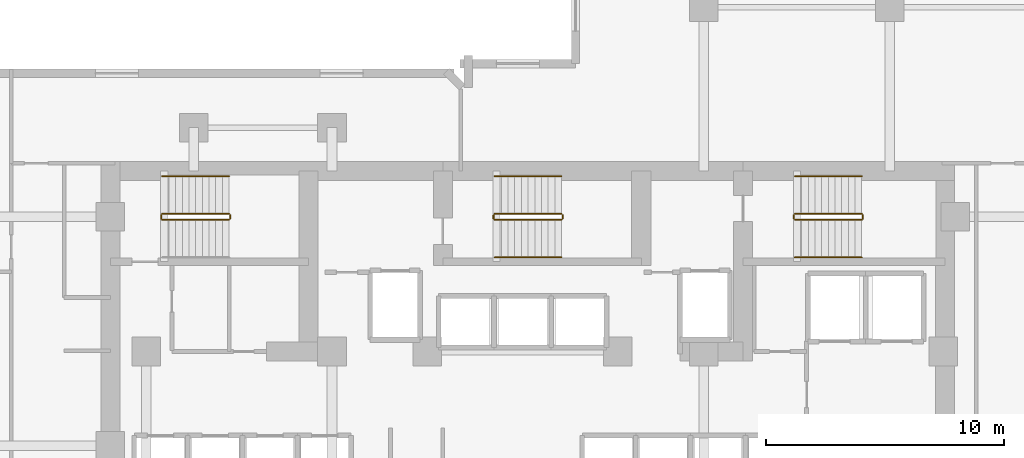
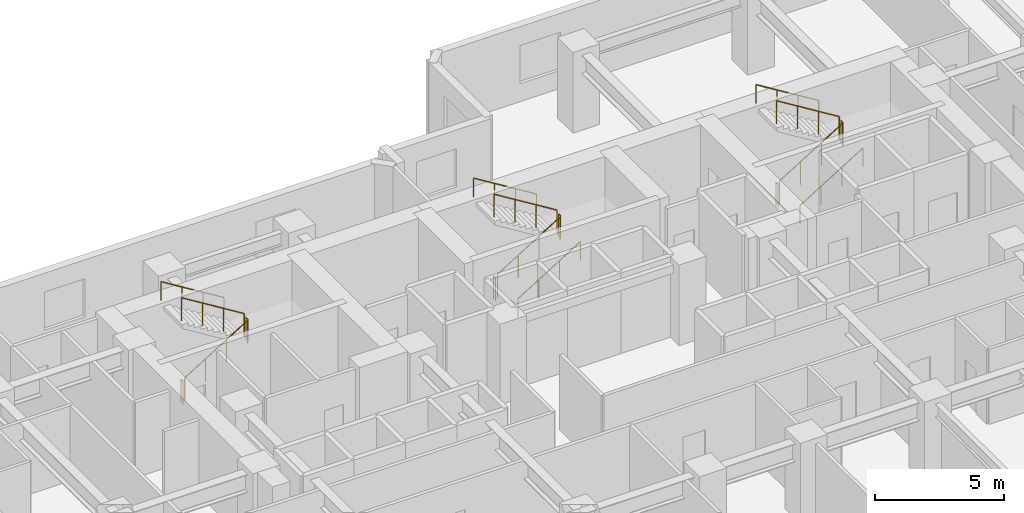
# One storey, part 12 of 12: 17 railings.
"""IFC4 building model written with IfcOpenShell, lengths in metres."""

from ifc_helpers import new_model, si_unit, direction, frame, origin, origin_2d, place, context, subcontext, project, spatial, circle, extrude, material, type_object, element, save


model = new_model("IFC4")

# Units and contexts
model_context = context("Model", 3, precision=1e-05, world=origin(), true_north=direction((0.0, 1.0)))
body_context = subcontext(model_context, "Body", "Model", "MODEL_VIEW")
ifc_project = project(units=[si_unit("LENGTHUNIT", "METRE"), si_unit("AREAUNIT", "SQUARE_METRE"), si_unit("VOLUMEUNIT", "CUBIC_METRE"), si_unit("PLANEANGLEUNIT", "RADIAN"), si_unit("MASSUNIT", "GRAM", prefix="KILO")], contexts=[model_context])

# Site, building, storey
site_placement = place(None, origin())
site = spatial("IfcSite", under=ifc_project, at=site_placement, CompositionType="ELEMENT")
building_placement = place(site_placement, origin())
building = spatial("IfcBuilding", under=site, at=building_placement, Name="Kestravale Grand Hotel", CompositionType="ELEMENT")
storey_placement = place(building_placement, frame((0.0, 0.0, 118.39990234375)))
storey = spatial("IfcBuildingStorey", under=building, at=storey_placement, Name="L29", CompositionType="ELEMENT", Elevation=118.39990234375)

# Railings
ifc_material_1 = material(Name="Painted tubular steel stair well guard", Category="steel")
railing_type_1 = type_object("IfcRailingType", Name="RL-ST-GRD1100", PredefinedType="GUARDRAIL", material=ifc_material_1)
railing_1_placement = place(storey_placement, frame((24.080078125, 38.280029296875, 0.1728515625)))
element("IfcRailing", 1, at=railing_1_placement, inside=storey, type_object=railing_type_1, Name="L29 ST-1 stair guard 1", PredefinedType="GUARDRAIL", context=body_context, shape_type="SweptSolid", body=[
    extrude(circle(Radius=0.02392578125, at=origin_2d()), frame((0.0, 0.0, 1.076171875), z_axis=(0.851069175582, 0.0, 0.525053576669), x_axis=(0.0, 1.0, 0.0)), (0.0, 0.0, 1.0), 3.289794921875),
    extrude(circle(Radius=0.02099609375, at=origin_2d()), origin(), (0.0, 0.0, 1.0), 1.052001953125),
    extrude(circle(Radius=0.02099609375, at=origin_2d()), frame((0.933349609375, 0.0, 0.57568359375)), (0.0, 0.0, 1.0), 1.052001953125),
    extrude(circle(Radius=0.02099609375, at=origin_2d()), frame((1.866455078125, 0.0, 1.151611328125)), (0.0, 0.0, 1.0), 1.052001953125),
    extrude(circle(Radius=0.02099609375, at=origin_2d()), frame((2.7998046875, 0.0, 1.727294921875)), (0.0, 0.0, 1.0), 1.052001953125),
])
railing_2_placement = place(storey_placement, frame((26.929931640625, 38.330078125, 1.900146484375)))
element("IfcRailing", 2, at=railing_2_placement, inside=storey, type_object=railing_type_1, Name="L29 ST-1 stair guard 2", PredefinedType="GUARDRAIL", context=body_context, shape_type="SweptSolid", body=[
    extrude(circle(Radius=0.02392578125, at=origin_2d()), frame((0.0, 0.0, 1.076171875), z_axis=(0.0, 1.0, 0.0), x_axis=(-1.0, 0.0, 0.0)), (0.0, 0.0, 1.0), 0.14990234375),
    extrude(circle(Radius=0.02099609375, at=origin_2d()), origin(), (0.0, 0.0, 1.0), 1.052001953125),
    extrude(circle(Radius=0.02099609375, at=origin_2d()), frame((0.0, 0.14990234375, 0.0)), (0.0, 0.0, 1.0), 1.052001953125),
])
railing_3_placement = place(storey_placement, frame((26.8798828125, 38.530029296875, 2.07275390625)))
element("IfcRailing", 3, at=railing_3_placement, inside=storey, type_object=railing_type_1, Name="L29 ST-1 stair guard 3", PredefinedType="GUARDRAIL", context=body_context, shape_type="SweptSolid", body=[
    extrude(circle(Radius=0.02392578125, at=origin_2d()), frame((0.0, 0.0, 1.076171875), z_axis=(-0.851069175582, 0.0, 0.525053576669), x_axis=(0.0, -1.0, 0.0)), (0.0, 0.0, 1.0), 3.289794921875),
    extrude(circle(Radius=0.02099609375, at=origin_2d()), origin(), (0.0, 0.0, 1.0), 1.052001953125),
    extrude(circle(Radius=0.02099609375, at=origin_2d()), frame((-0.933349609375, 0.0, 0.57568359375)), (0.0, 0.0, 1.0), 1.052001953125),
    extrude(circle(Radius=0.02099609375, at=origin_2d()), frame((-1.866455078125, 0.0, 1.151611328125)), (0.0, 0.0, 1.0), 1.052001953125),
    extrude(circle(Radius=0.02099609375, at=origin_2d()), frame((-2.7998046875, 0.0, 1.727294921875)), (0.0, 0.0, 1.0), 1.052001953125),
])
railing_4_placement = place(storey_placement, frame((24.030029296875, 38.330078125, 0.0)))
element("IfcRailing", 4, at=railing_4_placement, inside=storey, type_object=railing_type_1, Name="L29 ST-1 stair guard 4", PredefinedType="GUARDRAIL", context=body_context, shape_type="SweptSolid", body=[
    extrude(circle(Radius=0.02392578125, at=origin_2d()), frame((0.0, 0.0, 1.076171875), z_axis=(0.0, 1.0, 0.0), x_axis=(-1.0, 0.0, 0.0)), (0.0, 0.0, 1.0), 0.14990234375),
    extrude(circle(Radius=0.02099609375, at=origin_2d()), origin(), (0.0, 0.0, 1.0), 1.052001953125),
    extrude(circle(Radius=0.02099609375, at=origin_2d()), frame((0.0, 0.14990234375, 0.0)), (0.0, 0.0, 1.0), 1.052001953125),
])
railing_5_placement = place(storey_placement, frame((38.030029296875, 38.280029296875, 0.1728515625)))
element("IfcRailing", 5, at=railing_5_placement, inside=storey, type_object=railing_type_1, Name="L29 ST-2 stair guard 1", PredefinedType="GUARDRAIL", context=body_context, shape_type="SweptSolid", body=[
    extrude(circle(Radius=0.02392578125, at=origin_2d()), frame((0.0, 0.0, 1.076171875), z_axis=(0.851089632645, 0.0, 0.525020415988), x_axis=(0.0, 1.0, 0.0)), (0.0, 0.0, 1.0), 3.2900390625),
    extrude(circle(Radius=0.02099609375, at=origin_2d()), origin(), (0.0, 0.0, 1.0), 1.052001953125),
    extrude(circle(Radius=0.02099609375, at=origin_2d()), frame((0.933349609375, 0.0, 0.57568359375)), (0.0, 0.0, 1.0), 1.052001953125),
    extrude(circle(Radius=0.02099609375, at=origin_2d()), frame((1.86669921875, 0.0, 1.151611328125)), (0.0, 0.0, 1.0), 1.052001953125),
    extrude(circle(Radius=0.02099609375, at=origin_2d()), frame((2.800048828125, 0.0, 1.727294921875)), (0.0, 0.0, 1.0), 1.052001953125),
])
railing_6_placement = place(storey_placement, frame((40.8798828125, 38.330078125, 1.900146484375)))
element("IfcRailing", 6, at=railing_6_placement, inside=storey, type_object=railing_type_1, Name="L29 ST-2 stair guard 2", PredefinedType="GUARDRAIL", context=body_context, shape_type="SweptSolid", body=[
    extrude(circle(Radius=0.02392578125, at=origin_2d()), frame((0.0, 0.0, 1.076171875), z_axis=(0.0, 1.0, 0.0), x_axis=(-1.0, 0.0, 0.0)), (0.0, 0.0, 1.0), 0.14990234375),
    extrude(circle(Radius=0.02099609375, at=origin_2d()), origin(), (0.0, 0.0, 1.0), 1.052001953125),
    extrude(circle(Radius=0.02099609375, at=origin_2d()), frame((0.0, 0.14990234375, 0.0)), (0.0, 0.0, 1.0), 1.052001953125),
])
railing_7_placement = place(storey_placement, frame((40.830078125, 38.530029296875, 2.07275390625)))
element("IfcRailing", 7, at=railing_7_placement, inside=storey, type_object=railing_type_1, Name="L29 ST-2 stair guard 3", PredefinedType="GUARDRAIL", context=body_context, shape_type="SweptSolid", body=[
    extrude(circle(Radius=0.02392578125, at=origin_2d()), frame((0.0, 0.0, 1.076171875), z_axis=(-0.851089632645, 0.0, 0.525020415988), x_axis=(0.0, -1.0, 0.0)), (0.0, 0.0, 1.0), 3.2900390625),
    extrude(circle(Radius=0.02099609375, at=origin_2d()), origin(), (0.0, 0.0, 1.0), 1.052001953125),
    extrude(circle(Radius=0.02099609375, at=origin_2d()), frame((-0.933349609375, 0.0, 0.57568359375)), (0.0, 0.0, 1.0), 1.052001953125),
    extrude(circle(Radius=0.02099609375, at=origin_2d()), frame((-1.86669921875, 0.0, 1.151611328125)), (0.0, 0.0, 1.0), 1.052001953125),
    extrude(circle(Radius=0.02099609375, at=origin_2d()), frame((-2.800048828125, 0.0, 1.727294921875)), (0.0, 0.0, 1.0), 1.052001953125),
])
railing_8_placement = place(storey_placement, frame((37.97998046875, 38.330078125, 0.0)))
element("IfcRailing", 8, at=railing_8_placement, inside=storey, type_object=railing_type_1, Name="L29 ST-2 stair guard 4", PredefinedType="GUARDRAIL", context=body_context, shape_type="SweptSolid", body=[
    extrude(circle(Radius=0.02392578125, at=origin_2d()), frame((0.0, 0.0, 1.076171875), z_axis=(0.0, 1.0, 0.0), x_axis=(-1.0, 0.0, 0.0)), (0.0, 0.0, 1.0), 0.14990234375),
    extrude(circle(Radius=0.02099609375, at=origin_2d()), origin(), (0.0, 0.0, 1.0), 1.052001953125),
    extrude(circle(Radius=0.02099609375, at=origin_2d()), frame((0.0, 0.14990234375, 0.0)), (0.0, 0.0, 1.0), 1.052001953125),
])
railing_9_placement = place(storey_placement, frame((50.6298828125, 38.280029296875, 0.1728515625)))
element("IfcRailing", 9, at=railing_9_placement, inside=storey, type_object=railing_type_1, Name="L29 ST-3 stair guard 1", PredefinedType="GUARDRAIL", context=body_context, shape_type="SweptSolid", body=[
    extrude(circle(Radius=0.02392578125, at=origin_2d()), frame((0.0, 0.0, 1.076171875), z_axis=(0.851089632645, 0.0, 0.525020415988), x_axis=(0.0, 1.0, 0.0)), (0.0, 0.0, 1.0), 3.2900390625),
    extrude(circle(Radius=0.02099609375, at=origin_2d()), origin(), (0.0, 0.0, 1.0), 1.052001953125),
    extrude(circle(Radius=0.02099609375, at=origin_2d()), frame((0.933349609375, 0.0, 0.57568359375)), (0.0, 0.0, 1.0), 1.052001953125),
    extrude(circle(Radius=0.02099609375, at=origin_2d()), frame((1.86669921875, 0.0, 1.151611328125)), (0.0, 0.0, 1.0), 1.052001953125),
    extrude(circle(Radius=0.02099609375, at=origin_2d()), frame((2.800048828125, 0.0, 1.727294921875)), (0.0, 0.0, 1.0), 1.052001953125),
])
railing_10_placement = place(storey_placement, frame((53.47998046875, 38.330078125, 1.900146484375)))
element("IfcRailing", 10, at=railing_10_placement, inside=storey, type_object=railing_type_1, Name="L29 ST-3 stair guard 2", PredefinedType="GUARDRAIL", context=body_context, shape_type="SweptSolid", body=[
    extrude(circle(Radius=0.02392578125, at=origin_2d()), frame((0.0, 0.0, 1.076171875), z_axis=(0.0, 1.0, 0.0), x_axis=(-1.0, 0.0, 0.0)), (0.0, 0.0, 1.0), 0.14990234375),
    extrude(circle(Radius=0.02099609375, at=origin_2d()), origin(), (0.0, 0.0, 1.0), 1.052001953125),
    extrude(circle(Radius=0.02099609375, at=origin_2d()), frame((0.0, 0.14990234375, 0.0)), (0.0, 0.0, 1.0), 1.052001953125),
])
railing_11_placement = place(storey_placement, frame((53.429931640625, 38.530029296875, 2.07275390625)))
element("IfcRailing", 11, at=railing_11_placement, inside=storey, type_object=railing_type_1, Name="L29 ST-3 stair guard 3", PredefinedType="GUARDRAIL", context=body_context, shape_type="SweptSolid", body=[
    extrude(circle(Radius=0.02392578125, at=origin_2d()), frame((0.0, 0.0, 1.076171875), z_axis=(-0.851089632645, 0.0, 0.525020415988), x_axis=(0.0, -1.0, 0.0)), (0.0, 0.0, 1.0), 3.2900390625),
    extrude(circle(Radius=0.02099609375, at=origin_2d()), origin(), (0.0, 0.0, 1.0), 1.052001953125),
    extrude(circle(Radius=0.02099609375, at=origin_2d()), frame((-0.933349609375, 0.0, 0.57568359375)), (0.0, 0.0, 1.0), 1.052001953125),
    extrude(circle(Radius=0.02099609375, at=origin_2d()), frame((-1.86669921875, 0.0, 1.151611328125)), (0.0, 0.0, 1.0), 1.052001953125),
    extrude(circle(Radius=0.02099609375, at=origin_2d()), frame((-2.800048828125, 0.0, 1.727294921875)), (0.0, 0.0, 1.0), 1.052001953125),
])
railing_12_placement = place(storey_placement, frame((50.580078125, 38.330078125, 0.0)))
element("IfcRailing", 12, at=railing_12_placement, inside=storey, type_object=railing_type_1, Name="L29 ST-3 stair guard 4", PredefinedType="GUARDRAIL", context=body_context, shape_type="SweptSolid", body=[
    extrude(circle(Radius=0.02392578125, at=origin_2d()), frame((0.0, 0.0, 1.076171875), z_axis=(0.0, 1.0, 0.0), x_axis=(-1.0, 0.0, 0.0)), (0.0, 0.0, 1.0), 0.14990234375),
    extrude(circle(Radius=0.02099609375, at=origin_2d()), origin(), (0.0, 0.0, 1.0), 1.052001953125),
    extrude(circle(Radius=0.02099609375, at=origin_2d()), frame((0.0, 0.14990234375, 0.0)), (0.0, 0.0, 1.0), 1.052001953125),
])
ifc_material_2 = material(Name="Brushed stainless steel wall handrail", Category="steel")
railing_type_2 = type_object("IfcRailingType", Name="RL-ST-HND900", PredefinedType="HANDRAIL", material=ifc_material_2)
railing_13_placement = place(storey_placement, frame((26.8798828125, 40.110107421875, 2.07275390625)))
element("IfcRailing", 13, at=railing_13_placement, inside=storey, type_object=railing_type_2, Name="L29 ST-1 stair handrail 2", PredefinedType="HANDRAIL", context=body_context, shape_type="SweptSolid", body=[
    extrude(circle(Radius=0.02392578125, at=origin_2d()), frame((0.0, 0.0, 0.8759765625), z_axis=(-0.851069175582, 0.0, 0.525053576669), x_axis=(0.0, -1.0, 0.0)), (0.0, 0.0, 1.0), 3.289794921875),
    extrude(circle(Radius=0.02099609375, at=origin_2d()), origin(), (0.0, 0.0, 1.0), 0.851806640625),
    extrude(circle(Radius=0.02099609375, at=origin_2d()), frame((-0.933349609375, 0.0, 0.57568359375)), (0.0, 0.0, 1.0), 0.851806640625),
    extrude(circle(Radius=0.02099609375, at=origin_2d()), frame((-1.866455078125, 0.0, 1.151611328125)), (0.0, 0.0, 1.0), 0.851806640625),
    extrude(circle(Radius=0.02099609375, at=origin_2d()), frame((-2.7998046875, 0.0, 1.727294921875)), (0.0, 0.0, 1.0), 0.851806640625),
])
railing_14_placement = place(storey_placement, frame((38.030029296875, 36.699951171875, 0.1728515625)))
element("IfcRailing", 14, at=railing_14_placement, inside=storey, type_object=railing_type_2, Name="L29 ST-2 stair handrail 1", PredefinedType="HANDRAIL", context=body_context, shape_type="SweptSolid", body=[
    extrude(circle(Radius=0.02392578125, at=origin_2d()), frame((0.0, 0.0, 0.8759765625), z_axis=(0.851089632645, 0.0, 0.525020415988), x_axis=(0.0, 1.0, 0.0)), (0.0, 0.0, 1.0), 3.2900390625),
    extrude(circle(Radius=0.02099609375, at=origin_2d()), origin(), (0.0, 0.0, 1.0), 0.851806640625),
    extrude(circle(Radius=0.02099609375, at=origin_2d()), frame((0.933349609375, 0.0, 0.57568359375)), (0.0, 0.0, 1.0), 0.851806640625),
    extrude(circle(Radius=0.02099609375, at=origin_2d()), frame((1.86669921875, 0.0, 1.151611328125)), (0.0, 0.0, 1.0), 0.851806640625),
    extrude(circle(Radius=0.02099609375, at=origin_2d()), frame((2.800048828125, 0.0, 1.727294921875)), (0.0, 0.0, 1.0), 0.851806640625),
])
railing_15_placement = place(storey_placement, frame((40.830078125, 40.110107421875, 2.07275390625)))
element("IfcRailing", 15, at=railing_15_placement, inside=storey, type_object=railing_type_2, Name="L29 ST-2 stair handrail 2", PredefinedType="HANDRAIL", context=body_context, shape_type="SweptSolid", body=[
    extrude(circle(Radius=0.02392578125, at=origin_2d()), frame((0.0, 0.0, 0.8759765625), z_axis=(-0.851089632645, 0.0, 0.525020415988), x_axis=(0.0, -1.0, 0.0)), (0.0, 0.0, 1.0), 3.2900390625),
    extrude(circle(Radius=0.02099609375, at=origin_2d()), origin(), (0.0, 0.0, 1.0), 0.851806640625),
    extrude(circle(Radius=0.02099609375, at=origin_2d()), frame((-0.933349609375, 0.0, 0.57568359375)), (0.0, 0.0, 1.0), 0.851806640625),
    extrude(circle(Radius=0.02099609375, at=origin_2d()), frame((-1.86669921875, 0.0, 1.151611328125)), (0.0, 0.0, 1.0), 0.851806640625),
    extrude(circle(Radius=0.02099609375, at=origin_2d()), frame((-2.800048828125, 0.0, 1.727294921875)), (0.0, 0.0, 1.0), 0.851806640625),
])
railing_16_placement = place(storey_placement, frame((50.6298828125, 36.699951171875, 0.1728515625)))
element("IfcRailing", 16, at=railing_16_placement, inside=storey, type_object=railing_type_2, Name="L29 ST-3 stair handrail 1", PredefinedType="HANDRAIL", context=body_context, shape_type="SweptSolid", body=[
    extrude(circle(Radius=0.02392578125, at=origin_2d()), frame((0.0, 0.0, 0.8759765625), z_axis=(0.851089632645, 0.0, 0.525020415988), x_axis=(0.0, 1.0, 0.0)), (0.0, 0.0, 1.0), 3.2900390625),
    extrude(circle(Radius=0.02099609375, at=origin_2d()), origin(), (0.0, 0.0, 1.0), 0.851806640625),
    extrude(circle(Radius=0.02099609375, at=origin_2d()), frame((0.933349609375, 0.0, 0.57568359375)), (0.0, 0.0, 1.0), 0.851806640625),
    extrude(circle(Radius=0.02099609375, at=origin_2d()), frame((1.86669921875, 0.0, 1.151611328125)), (0.0, 0.0, 1.0), 0.851806640625),
    extrude(circle(Radius=0.02099609375, at=origin_2d()), frame((2.800048828125, 0.0, 1.727294921875)), (0.0, 0.0, 1.0), 0.851806640625),
])
railing_17_placement = place(storey_placement, frame((53.429931640625, 40.110107421875, 2.07275390625)))
element("IfcRailing", 17, at=railing_17_placement, inside=storey, type_object=railing_type_2, Name="L29 ST-3 stair handrail 2", PredefinedType="HANDRAIL", context=body_context, shape_type="SweptSolid", body=[
    extrude(circle(Radius=0.02392578125, at=origin_2d()), frame((0.0, 0.0, 0.8759765625), z_axis=(-0.851089632645, 0.0, 0.525020415988), x_axis=(0.0, -1.0, 0.0)), (0.0, 0.0, 1.0), 3.2900390625),
    extrude(circle(Radius=0.02099609375, at=origin_2d()), origin(), (0.0, 0.0, 1.0), 0.851806640625),
    extrude(circle(Radius=0.02099609375, at=origin_2d()), frame((-0.933349609375, 0.0, 0.57568359375)), (0.0, 0.0, 1.0), 0.851806640625),
    extrude(circle(Radius=0.02099609375, at=origin_2d()), frame((-1.86669921875, 0.0, 1.151611328125)), (0.0, 0.0, 1.0), 0.851806640625),
    extrude(circle(Radius=0.02099609375, at=origin_2d()), frame((-2.800048828125, 0.0, 1.727294921875)), (0.0, 0.0, 1.0), 0.851806640625),
])

save(model, "model.ifc")
